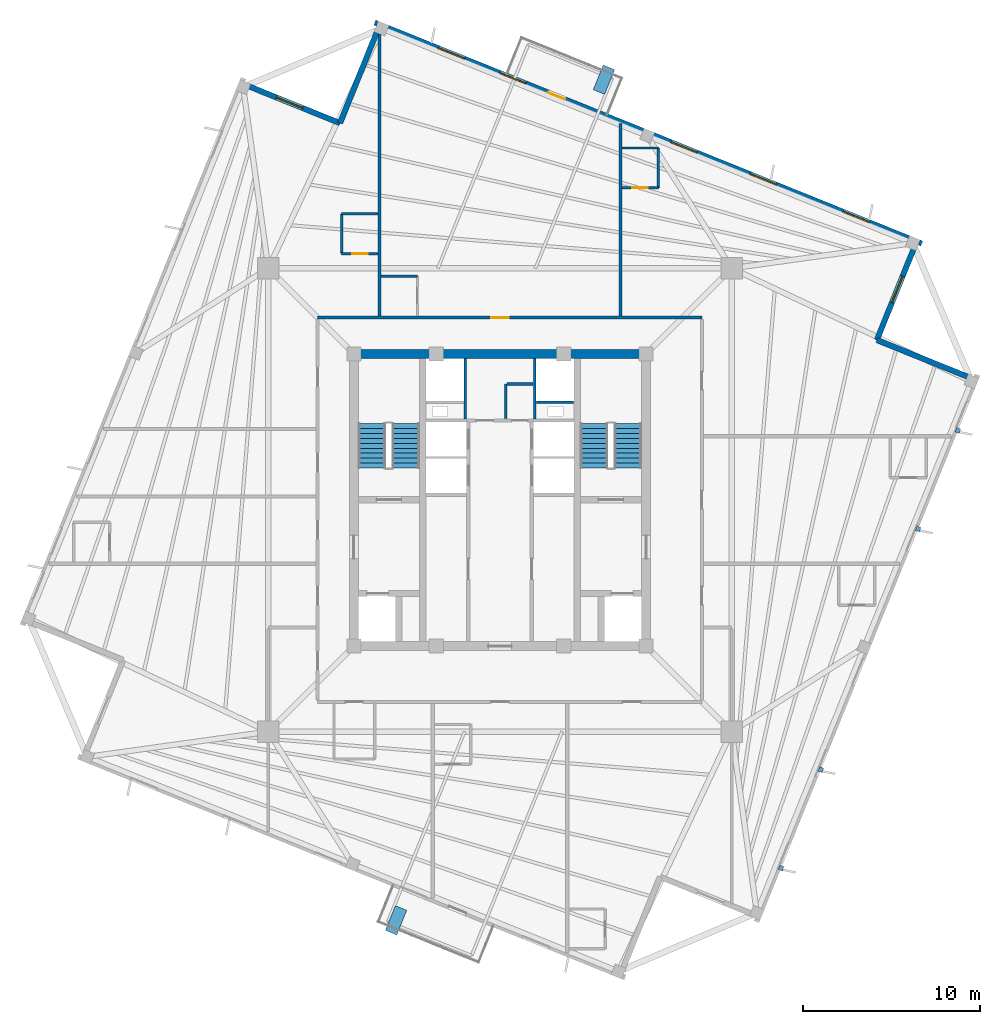
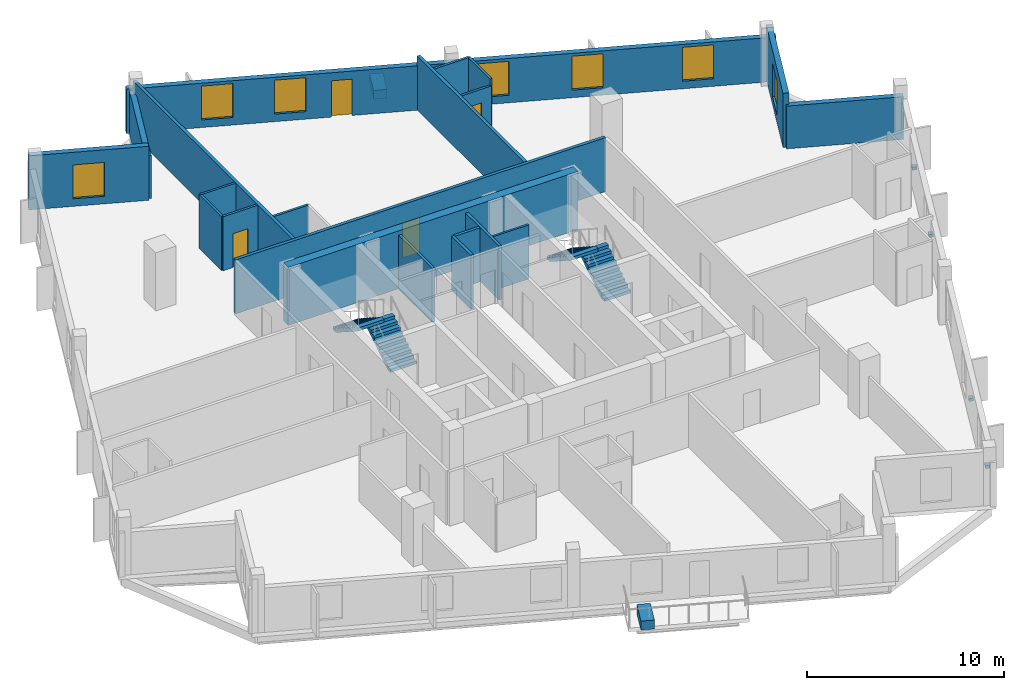
# One storey, part 5 of 8: 21 walls, 7 windows, 6 discrete accessories, 4 doors, 4 stair flights, 11 openings, 2 elements without a shape of their own.
"""IFC4 building model written with IfcOpenShell, lengths in metres."""

from ifc_helpers import new_model, si_unit, direction, frame, frame_2d, origin, origin_2d, place, context, subcontext, project, spatial, polyline, rectangle, outline, extrude, source, transform, mapped, material, layer, layer_set, type_object, element, fill, aggregate, save


model = new_model("IFC4")

# Units and contexts
model_context = context("Model", 3, precision=1e-05, world=origin(), true_north=direction((0.0, 1.0)))
body_context = subcontext(model_context, "Body", "Model", "MODEL_VIEW")
ifc_project = project(units=[si_unit("LENGTHUNIT", "METRE"), si_unit("AREAUNIT", "SQUARE_METRE"), si_unit("VOLUMEUNIT", "CUBIC_METRE"), si_unit("PLANEANGLEUNIT", "RADIAN"), si_unit("MASSUNIT", "GRAM", prefix="KILO"), si_unit("THERMODYNAMICTEMPERATUREUNIT", "KELVIN")], contexts=[model_context])

# Site, building, storey
site_placement = place(None, origin())
site = spatial("IfcSite", under=ifc_project, at=site_placement, CompositionType="ELEMENT")
building_placement = place(site_placement, origin())
building = spatial("IfcBuilding", under=site, at=building_placement, Name="Kosmvard Interchange Tower", CompositionType="ELEMENT")
storey_placement = place(building_placement, frame((0.0, 0.0, 265.199951171875)))
storey = spatial("IfcBuildingStorey", under=building, at=storey_placement, Name="L64", CompositionType="ELEMENT", Elevation=265.199951171875)

# Walls
ifc_material_1 = material(Name="Fire-rated gypsum partition system")
ifc_layer_1 = layer(ifc_material_1, 0.159912109375, Name="Fire-rated gypsum partition system")
ifc_layer_set_1 = layer_set([ifc_layer_1], Name="Fire-rated gypsum partition system")
wall_type_1 = type_object("IfcWallType", Name="Core Compartment & Shuttle Lobby Partition 160", PredefinedType="PARTITIONING", material=ifc_layer_set_1)
for number, where, z_axis, x_axis, name in (
    (1, (-1.9599609375, 4.580078125, 0.0), (0.0, 0.0, 1.0), (0.0, 1.0, 0.0), "L64 North Core West Wall"),
    (2, (1.9599609375, 4.580078125, 0.0), (0.0, 0.0, 1.0), (0.0, 1.0, 0.0), "L64 North Core East Wall"),
):
    element("IfcWall", number, at=place(storey_placement, frame(where, z_axis=z_axis, x_axis=x_axis)), inside=storey, type_object=wall_type_1, Name=name, PredefinedType="PARTITIONING", context=body_context, shape_type="SweptSolid", body=[
        extrude(rectangle(XDim=3.39990234375, YDim=0.159912109375, at=frame_2d((1.699951171875, 0.0))), origin(), (0.0, 0.0, 1.0), 3.35009765625),
    ])
ifc_material_2 = material(Name="Concrete blockwork masonry", Category="masonry")
ifc_layer_2 = layer(ifc_material_2, 0.159912109375, Name="Concrete blockwork masonry")
ifc_layer_set_2 = layer_set([ifc_layer_2], Name="Concrete blockwork masonry")
wall_type_2 = type_object("IfcWallType", Name="Core Enclosure Split Wall 160", PredefinedType="PARTITIONING", material=ifc_layer_set_2)
wall_1_placement = place(storey_placement, frame((0.320068359375, 4.60009765625, 0.0), z_axis=(0.0, 0.0, 1.0), x_axis=(0.0, 1.0, 0.0)))
element("IfcWall", 3, at=wall_1_placement, inside=storey, type_object=wall_type_2, Name="L64 Core K3 L-Wall 1", PredefinedType="PARTITIONING", context=body_context, shape_type="SweptSolid", body=[
    extrude(rectangle(XDim=1.949951171875, YDim=0.159912109375, at=frame_2d((0.97509765625, 0.0))), origin(), (0.0, 0.0, 1.0), 3.35009765625),
])
wall_2_placement = place(storey_placement, frame((0.39990234375, 6.550048828125, 0.0), z_axis=(0.0, 0.0, 1.0), x_axis=(1.0, 0.0, 0.0)))
element("IfcWall", 4, at=wall_2_placement, inside=storey, type_object=wall_type_2, Name="L64 Core K3 L-Wall 2", PredefinedType="PARTITIONING", context=body_context, shape_type="SweptSolid", body=[
    extrude(rectangle(XDim=1.460205078125, YDim=0.159912109375, at=frame_2d((0.72998046875, 0.0))), origin(), (0.0, 0.0, 1.0), 3.35009765625),
])

# Wall, opening, door
ifc_layer_3 = layer(ifc_material_1, 0.179931640625, Name="Fire-rated gypsum partition system")
ifc_layer_set_3 = layer_set([ifc_layer_3], Name="Fire-rated gypsum partition system")
wall_type_3 = type_object("IfcWallType", Name="Corridor & Hotel Compartment Partition 180", PredefinedType="PARTITIONING", material=ifc_layer_set_3)
wall_3_placement = place(storey_placement, frame((-10.300048828125, 10.300048828125, 0.0), z_axis=(0.0, 0.0, 1.0), x_axis=(1.0, 0.0, 0.0)))
wall_3 = element("IfcWall", 5, at=wall_3_placement, inside=storey, type_object=wall_type_3, Name="L64 Corridor Wall CN", PredefinedType="PARTITIONING", context=body_context, shape_type="SweptSolid", body=[
    extrude(rectangle(XDim=21.699951171875, YDim=0.179931640625, at=frame_2d((10.85009765625, 0.0))), origin(), (0.0, 0.0, 1.0), 3.35009765625),
])
opening_1_placement = place(wall_3_placement, frame((9.800048828125, 0.0, 0.0)))
opening_1 = element("IfcOpeningElement", 6, at=opening_1_placement, cuts=wall_3, Name="Opening L64-D05", PredefinedType="OPENING", context=body_context, shape_type="SweptSolid", body=[
    extrude(rectangle(XDim=1.0, YDim=2.14990234375, at=frame_2d((0.5, 1.074951171875))), frame((0.0, 0.10009765625, 0.0), z_axis=(0.0, -1.0, 0.0), x_axis=(1.0, 0.0, 0.0)), (0.0, 0.0, 1.0), 0.199951171875),
])
ifc_material_3 = material(Name="Engineered oak fire-rated timber", Category="wood")
door_type_1 = type_object("IfcDoorType", Name="Hotel Guestroom Entrance Door 1000x2150 EI60", OperationType="NOTDEFINED", PredefinedType="DOOR", material=ifc_material_3)
shared_shape_1 = source(origin(), body_context, "Body", "SweptSolid", [
    extrude(rectangle(XDim=1.0, YDim=2.14990234375, at=frame_2d((0.5, 1.074951171875))), frame((0.0, 0.02490234375, 0.0), z_axis=(0.0, -1.0, 0.0), x_axis=(1.0, 0.0, 0.0)), (0.0, 0.0, 1.0), 0.050048828125),
])
door_1_placement = place(opening_1_placement, origin())
door_1 = element("IfcDoor", 7, at=door_1_placement, inside=storey, type_object=door_type_1, Name="L64 Hotel Twin Junior Suite 1 Door", OperationType="SINGLE_SWING_LEFT", OverallHeight=2.14990234375, OverallWidth=1.0, PredefinedType="DOOR", context=body_context, shape_type="MappedRepresentation", body=[
    mapped(shared_shape_1, transform((0.0, 0.0, 0.0), scale=1.0)),
])
fill(opening_1, door_1)

# Walls
wall_4_placement = place(storey_placement, frame((-6.800048828125, 10.39501953125, 0.0), z_axis=(0.0, 0.0, 1.0), x_axis=(0.0, 1.0, 0.0)))
element("IfcWall", 8, at=wall_4_placement, inside=storey, type_object=wall_type_3, Name="L64 Room Partition 01.1", PredefinedType="PARTITIONING", context=body_context, shape_type="SweptSolid", body=[
    extrude(rectangle(XDim=16.16650390625, YDim=0.179931640625, at=frame_2d((8.083251953125, 0.0))), origin(), (0.0, 0.0, 1.0), 3.35009765625),
])
wall_5_placement = place(storey_placement, frame((6.800048828125, 10.39501953125, 0.0), z_axis=(0.0, 0.0, 1.0), x_axis=(0.0, 1.0, 0.0)))
element("IfcWall", 9, at=wall_5_placement, inside=storey, type_object=wall_type_3, Name="L64 Room Partition 02.1", PredefinedType="PARTITIONING", context=body_context, shape_type="SweptSolid", body=[
    extrude(rectangle(XDim=10.8603515625, YDim=0.179931640625, at=frame_2d((5.43017578125, 0.0))), origin(), (0.0, 0.0, 1.0), 3.35009765625),
])
ifc_material_4 = material(Name="Fire-rated gypsum shaftwall system")
ifc_layer_4 = layer(ifc_material_4, 0.1201171875, Name="Fire-rated gypsum shaftwall system")
ifc_layer_set_4 = layer_set([ifc_layer_4], Name="Fire-rated gypsum shaftwall system")
wall_type_4 = type_object("IfcWallType", Name="Shaft & Riser Fire Partition 120 EI60", PredefinedType="PARTITIONING", material=ifc_layer_set_4)
wall_6_placement = place(storey_placement, frame((2.06005859375, 5.52001953125, 0.0), z_axis=(0.0, 0.0, 1.0), x_axis=(1.0, 0.0, 0.0)))
element("IfcWall", 10, at=wall_6_placement, inside=storey, type_object=wall_type_4, Name="L64 Riser Shaft Divider E", PredefinedType="PARTITIONING", context=body_context, shape_type="SweptSolid", body=[
    extrude(rectangle(XDim=2.099853515625, YDim=0.1201171875, at=frame_2d((1.0498046875, 0.0))), origin(), (0.0, 0.0, 1.0), 3.35009765625),
])
ifc_material_5 = material(Name="Concrete C60/75", Category="concrete")
ifc_layer_5 = layer(ifc_material_5, 0.5, Name="Concrete C60/75")
ifc_layer_set_5 = layer_set([ifc_layer_5], Name="Concrete C60/75")
wall_type_5 = type_object("IfcWallType", Name="Upper Core Shear Wall 500 C60/75", PredefinedType="SHEAR", material=ifc_layer_set_5)
wall_7_placement = place(storey_placement, frame((-8.5, 8.25, 0.0), z_axis=(0.0, 0.0, 1.0), x_axis=(1.0, 0.0, 0.0)))
element("IfcWall", 11, at=wall_7_placement, inside=storey, type_object=wall_type_5, Name="L64 Core Shear Wall CW-N", PredefinedType="SHEAR", context=body_context, shape_type="SweptSolid", body=[
    extrude(rectangle(XDim=17.0, YDim=0.5, at=frame_2d((8.5, 0.0))), origin(), (0.0, 0.0, 1.0), 3.60009765625),
])
ifc_material_6 = material(Name="Precast concrete C45/55", Category="concrete")
ifc_layer_6 = layer(ifc_material_6, 0.31005859375, Name="Precast concrete C45/55")
ifc_layer_set_6 = layer_set([ifc_layer_6], Name="Precast concrete C45/55")
wall_type_6 = type_object("IfcWallType", Name="Upper Tower Precast Pier Wall 310 C45/55", PredefinedType="STANDARD", material=ifc_layer_set_6)
wall_8_placement = place(storey_placement, frame((26.8408203125, 6.7841796875, 0.0), z_axis=(0.0, 0.0, 1.0), x_axis=(-0.927171722085, 0.374636620962, 0.0)))
element("IfcWall", 12, at=wall_8_placement, inside=storey, type_object=wall_type_6, Name="L64 Precast Facade Wall N-SE1", PredefinedType="STANDARD", context=body_context, shape_type="SweptSolid", body=[
    extrude(rectangle(XDim=6.0, YDim=0.31005859375, at=frame_2d((3.0, 0.0))), origin(), (0.0, 0.0, 1.0), 2.650146484375),
])

# Wall, opening, window
wall_9_placement = place(storey_placement, frame((21.27783203125, 9.031982421875, 0.0), z_axis=(0.0, 0.0, 1.0), x_axis=(0.374602739196, 0.927185411764, 0.0)))
wall_9 = element("IfcWall", 13, at=wall_9_placement, inside=storey, type_object=wall_type_6, Name="L64 Precast Facade Wall N-SE2", PredefinedType="STANDARD", context=body_context, shape_type="SweptSolid", body=[
    extrude(rectangle(XDim=6.155029296875, YDim=0.31005859375, at=frame_2d((3.07763671875, 0.0))), origin(), (0.0, 0.0, 1.0), 3.35009765625),
])
opening_2_placement = place(wall_9_placement, frame((2.277587890625, 0.0, 0.469970703125)))
opening_2 = element("IfcOpeningElement", 14, at=opening_2_placement, cuts=wall_9, Name="Opening L64-W21", PredefinedType="OPENING", context=body_context, shape_type="SweptSolid", body=[
    extrude(rectangle(XDim=1.60009765625, YDim=2.10009765625, at=frame_2d((0.800048828125, 1.050048828125))), frame((0.0, 0.1650390625, 0.0), z_axis=(0.0, -1.0, 0.0), x_axis=(1.0, 0.0, 0.0)), (0.0, 0.0, 1.0), 0.330078125),
])
ifc_material_7 = material(Name="Low-E acoustic double glazing", Category="glass")
window_type = type_object("IfcWindowType", Name="Zone 5 Hotel Punched Window 1600x2100", PartitioningType="SINGLE_PANEL", PredefinedType="WINDOW", material=ifc_material_7)
shared_shape_2 = source(origin(), body_context, "Body", "SweptSolid", [
    extrude(rectangle(XDim=1.60009765625, YDim=2.10009765625, at=frame_2d((0.800048828125, 1.050048828125))), frame((0.0, 0.030029296875, 0.0), z_axis=(0.0, -1.0, 0.0), x_axis=(1.0, 0.0, 0.0)), (0.0, 0.0, 1.0), 0.06005859375),
])
window_1_placement = place(opening_2_placement, origin())
window_1 = element("IfcWindow", 15, at=window_1_placement, inside=storey, type_object=window_type, Name="L64 Corner Notch Window 21", OverallHeight=2.10009765625, OverallWidth=1.60009765625, PartitioningType="SINGLE_PANEL", PredefinedType="WINDOW", context=body_context, shape_type="MappedRepresentation", body=[
    mapped(shared_shape_2, transform((0.0, 0.0, 0.0), scale=1.0)),
])
fill(opening_2, window_1)

# Wall, openings, door, windows
wall_10_placement = place(storey_placement, frame((23.812744140625, 14.478759765625, 0.0), z_axis=(0.0, 0.0, 1.0), x_axis=(-0.927182657188, 0.374609557019, 0.0)))
wall_10 = element("IfcWall", 16, at=wall_10_placement, inside=storey, type_object=wall_type_6, Name="L64 Precast Facade Wall F-E", PredefinedType="STANDARD", context=body_context, shape_type="SweptSolid", body=[
    extrude(rectangle(XDim=33.31005859375, YDim=0.31005859375, at=frame_2d((16.655029296875, 0.0))), origin(), (0.0, 0.0, 1.0), 2.75),
])
opening_3_placement = place(wall_10_placement, frame((21.72998046875, 0.0, 0.0)))
opening_3 = element("IfcOpeningElement", 17, at=opening_3_placement, cuts=wall_10, Name="Opening L64-BDE", PredefinedType="OPENING", context=body_context, shape_type="SweptSolid", body=[
    extrude(rectangle(XDim=1.050048828125, YDim=2.25, at=frame_2d((0.52490234375, 1.125))), frame((0.0, 0.1650390625, 0.0), z_axis=(0.0, -1.0, 0.0), x_axis=(1.0, 0.0, 0.0)), (0.0, 0.0, 1.0), 0.330078125),
])
opening_4_placement = place(wall_10_placement, frame((3.197265625, 0.0, 0.469970703125)))
opening_4 = element("IfcOpeningElement", 18, at=opening_4_placement, cuts=wall_10, Name="Opening L64-W06", PredefinedType="OPENING", context=body_context, shape_type="SweptSolid", body=[
    extrude(rectangle(XDim=1.60009765625, YDim=2.10009765625, at=frame_2d((0.800048828125, 1.050048828125))), frame((0.0, 0.1650390625, 0.0), z_axis=(0.0, -1.0, 0.0), x_axis=(1.0, 0.0, 0.0)), (0.0, 0.0, 1.0), 0.330078125),
])
opening_5_placement = place(wall_10_placement, frame((8.85986328125, 0.0, 0.469970703125)))
opening_5 = element("IfcOpeningElement", 19, at=opening_5_placement, cuts=wall_10, Name="Opening L64-W07", PredefinedType="OPENING", context=body_context, shape_type="SweptSolid", body=[
    extrude(rectangle(XDim=1.60009765625, YDim=2.10009765625, at=frame_2d((0.800048828125, 1.050048828125))), frame((0.0, 0.1650390625, 0.0), z_axis=(0.0, -1.0, 0.0), x_axis=(1.0, 0.0, 0.0)), (0.0, 0.0, 1.0), 0.330078125),
])
opening_6_placement = place(wall_10_placement, frame((13.688720703125, 0.0, 0.469970703125)))
opening_6 = element("IfcOpeningElement", 20, at=opening_6_placement, cuts=wall_10, Name="Opening L64-W08", PredefinedType="OPENING", context=body_context, shape_type="SweptSolid", body=[
    extrude(rectangle(XDim=1.60009765625, YDim=2.10009765625, at=frame_2d((0.800048828125, 1.050048828125))), frame((0.0, 0.1650390625, 0.0), z_axis=(0.0, -1.0, 0.0), x_axis=(1.0, 0.0, 0.0)), (0.0, 0.0, 1.0), 0.330078125),
])
opening_7_placement = place(wall_10_placement, frame((24.100830078125, 0.0, 0.469970703125)))
opening_7 = element("IfcOpeningElement", 21, at=opening_7_placement, cuts=wall_10, Name="Opening L64-W09", PredefinedType="OPENING", context=body_context, shape_type="SweptSolid", body=[
    extrude(rectangle(XDim=1.60009765625, YDim=2.10009765625, at=frame_2d((0.800048828125, 1.050048828125))), frame((0.0, 0.1650390625, 0.0), z_axis=(0.0, -1.0, 0.0), x_axis=(1.0, 0.0, 0.0)), (0.0, 0.0, 1.0), 0.330078125),
])
opening_8_placement = place(wall_10_placement, frame((27.8466796875, 0.0, 0.469970703125)))
opening_8 = element("IfcOpeningElement", 22, at=opening_8_placement, cuts=wall_10, Name="Opening L64-W10", PredefinedType="OPENING", context=body_context, shape_type="SweptSolid", body=[
    extrude(rectangle(XDim=1.60009765625, YDim=2.10009765625, at=frame_2d((0.800048828125, 1.050048828125))), frame((0.0, 0.1650390625, 0.0), z_axis=(0.0, -1.0, 0.0), x_axis=(1.0, 0.0, 0.0)), (0.0, 0.0, 1.0), 0.330078125),
])
ifc_material_8 = material(Name="Anodised aluminium and safety glass", Category="aluminium")
door_type_2 = type_object("IfcDoorType", Name="Tree-Balcony Glazed Door 1050x2250", OperationType="NOTDEFINED", PredefinedType="DOOR", material=ifc_material_8)
shared_shape_3 = source(origin(), body_context, "Body", "SweptSolid", [
    extrude(rectangle(XDim=1.050048828125, YDim=2.25, at=frame_2d((0.52490234375, 1.125))), frame((0.0, 0.02490234375, 0.0), z_axis=(0.0, -1.0, 0.0), x_axis=(1.0, 0.0, 0.0)), (0.0, 0.0, 1.0), 0.050048828125),
])
door_2_placement = place(opening_3_placement, origin())
door_2 = element("IfcDoor", 23, at=door_2_placement, inside=storey, type_object=door_type_2, Name="L64 Tree-Balcony Door BAL-L64-E", OperationType="SINGLE_SWING_LEFT", OverallHeight=2.25, OverallWidth=1.050048828125, PredefinedType="DOOR", context=body_context, shape_type="MappedRepresentation", body=[
    mapped(shared_shape_3, transform((0.0, 0.0, 0.0), scale=1.0)),
])
fill(opening_3, door_2)
window_2_placement = place(opening_4_placement, origin())
window_2 = element("IfcWindow", 24, at=window_2_placement, inside=storey, type_object=window_type, Name="L64 Facade Punched Window 06", OverallHeight=2.10009765625, OverallWidth=1.60009765625, PartitioningType="SINGLE_PANEL", PredefinedType="WINDOW", context=body_context, shape_type="MappedRepresentation", body=[
    mapped(shared_shape_2, transform((0.0, 0.0, 0.0), scale=1.0)),
])
fill(opening_4, window_2)
window_3_placement = place(opening_5_placement, origin())
window_3 = element("IfcWindow", 25, at=window_3_placement, inside=storey, type_object=window_type, Name="L64 Facade Punched Window 07", OverallHeight=2.10009765625, OverallWidth=1.60009765625, PartitioningType="SINGLE_PANEL", PredefinedType="WINDOW", context=body_context, shape_type="MappedRepresentation", body=[
    mapped(shared_shape_2, transform((0.0, 0.0, 0.0), scale=1.0)),
])
fill(opening_5, window_3)
window_4_placement = place(opening_6_placement, origin())
window_4 = element("IfcWindow", 26, at=window_4_placement, inside=storey, type_object=window_type, Name="L64 Facade Punched Window 08", OverallHeight=2.10009765625, OverallWidth=1.60009765625, PartitioningType="SINGLE_PANEL", PredefinedType="WINDOW", context=body_context, shape_type="MappedRepresentation", body=[
    mapped(shared_shape_2, transform((0.0, 0.0, 0.0), scale=1.0)),
])
fill(opening_6, window_4)
window_5_placement = place(opening_7_placement, origin())
window_5 = element("IfcWindow", 27, at=window_5_placement, inside=storey, type_object=window_type, Name="L64 Facade Punched Window 09", OverallHeight=2.10009765625, OverallWidth=1.60009765625, PartitioningType="SINGLE_PANEL", PredefinedType="WINDOW", context=body_context, shape_type="MappedRepresentation", body=[
    mapped(shared_shape_2, transform((0.0, 0.0, 0.0), scale=1.0)),
])
fill(opening_7, window_5)
window_6_placement = place(opening_8_placement, origin())
window_6 = element("IfcWindow", 28, at=window_6_placement, inside=storey, type_object=window_type, Name="L64 Facade Punched Window 10", OverallHeight=2.10009765625, OverallWidth=1.60009765625, PartitioningType="SINGLE_PANEL", PredefinedType="WINDOW", context=body_context, shape_type="MappedRepresentation", body=[
    mapped(shared_shape_2, transform((0.0, 0.0, 0.0), scale=1.0)),
])
fill(opening_8, window_6)

# Wall
wall_11_placement = place(storey_placement, frame((-6.7841796875, 26.8408203125, 0.0), z_axis=(0.0, 0.0, 1.0), x_axis=(-0.374636620962, -0.927171722085, 0.0)))
element("IfcWall", 29, at=wall_11_placement, inside=storey, type_object=wall_type_6, Name="L64 Precast Facade Wall N-NE1", PredefinedType="STANDARD", context=body_context, shape_type="SweptSolid", body=[
    extrude(rectangle(XDim=6.0, YDim=0.31005859375, at=frame_2d((3.0, 0.0))), origin(), (0.0, 0.0, 1.0), 2.650146484375),
])

# Wall, opening, window
wall_12_placement = place(storey_placement, frame((-9.031982421875, 21.27783203125, 0.0), z_axis=(0.0, 0.0, 1.0), x_axis=(-0.927185411764, 0.374602739196, 0.0)))
wall_12 = element("IfcWall", 30, at=wall_12_placement, inside=storey, type_object=wall_type_6, Name="L64 Precast Facade Wall N-NE2", PredefinedType="STANDARD", context=body_context, shape_type="SweptSolid", body=[
    extrude(rectangle(XDim=6.155029296875, YDim=0.31005859375, at=frame_2d((3.07763671875, 0.0))), origin(), (0.0, 0.0, 1.0), 3.35009765625),
])
opening_9_placement = place(wall_12_placement, frame((2.277587890625, 0.0, 0.469970703125)))
opening_9 = element("IfcOpeningElement", 31, at=opening_9_placement, cuts=wall_12, Name="Opening L64-W22", PredefinedType="OPENING", context=body_context, shape_type="SweptSolid", body=[
    extrude(rectangle(XDim=1.60009765625, YDim=2.10009765625, at=frame_2d((0.800048828125, 1.050048828125))), frame((0.0, 0.1650390625, 0.0), z_axis=(0.0, -1.0, 0.0), x_axis=(1.0, 0.0, 0.0)), (0.0, 0.0, 1.0), 0.330078125),
])
window_7_placement = place(opening_9_placement, origin())
window_7 = element("IfcWindow", 32, at=window_7_placement, inside=storey, type_object=window_type, Name="L64 Corner Notch Window 22", OverallHeight=2.10009765625, OverallWidth=1.60009765625, PartitioningType="SINGLE_PANEL", PredefinedType="WINDOW", context=body_context, shape_type="MappedRepresentation", body=[
    mapped(shared_shape_2, transform((0.0, 0.0, 0.0), scale=1.0)),
])
fill(opening_9, window_7)

# Wall, opening, door
ifc_material_9 = material(Name="Moisture-resistant gypsum partition")
ifc_layer_7 = layer(ifc_material_9, 0.135009765625, Name="Moisture-resistant gypsum partition")
ifc_layer_set_7 = layer_set([ifc_layer_7], Name="Moisture-resistant gypsum partition")
wall_type_7 = type_object("IfcWallType", Name="Wet Room Moisture-Resistant Partition 135", PredefinedType="PARTITIONING", material=ifc_layer_set_7)
wall_13_placement = place(storey_placement, frame((-8.93994140625, 13.909912109375, 0.0), z_axis=(0.0, 0.0, 1.0), x_axis=(1.0, 0.0, 0.0)))
wall_13 = element("IfcWall", 33, at=wall_13_placement, inside=storey, type_object=wall_type_7, Name="L64 En-Suite Partition HCS1-S", PredefinedType="PARTITIONING", context=body_context, shape_type="SweptSolid", body=[
    extrude(rectangle(XDim=2.050048828125, YDim=0.135009765625, at=frame_2d((1.02490234375, 0.0))), origin(), (0.0, 0.0, 1.0), 3.35009765625),
])
opening_10_placement = place(wall_13_placement, frame((0.5849609375, 0.0, 0.0)))
opening_10 = element("IfcOpeningElement", 34, at=opening_10_placement, cuts=wall_13, Name="Opening L64-ED04", PredefinedType="OPENING", context=body_context, shape_type="SweptSolid", body=[
    extrude(rectangle(XDim=0.8798828125, YDim=2.10009765625, at=frame_2d((0.43994140625, 1.050048828125))), frame((0.0, 0.07763671875, 0.0), z_axis=(0.0, -1.0, 0.0), x_axis=(1.0, 0.0, 0.0)), (0.0, 0.0, 1.0), 0.155029296875),
])
ifc_material_10 = material(Name="Laminated moisture-resistant timber", Category="wood")
door_type_3 = type_object("IfcDoorType", Name="En-Suite & Washroom Door 880x2100", OperationType="NOTDEFINED", PredefinedType="DOOR", material=ifc_material_10)
shared_shape_4 = source(origin(), body_context, "Body", "SweptSolid", [
    extrude(rectangle(XDim=0.8798828125, YDim=2.10009765625, at=frame_2d((0.43994140625, 1.050048828125))), frame((0.0, 0.02490234375, 0.0), z_axis=(0.0, -1.0, 0.0), x_axis=(1.0, 0.0, 0.0)), (0.0, 0.0, 1.0), 0.050048828125),
])
door_3_placement = place(opening_10_placement, origin())
door_3 = element("IfcDoor", 35, at=door_3_placement, inside=storey, type_object=door_type_3, Name="L64 HCS1 En-Suite Door", OperationType="SINGLE_SWING_LEFT", OverallHeight=2.10009765625, OverallWidth=0.8798828125, PredefinedType="DOOR", context=body_context, shape_type="MappedRepresentation", body=[
    mapped(shared_shape_4, transform((0.0, 0.0, 0.0), scale=1.0)),
])
fill(opening_10, door_3)

# Walls
wall_14_placement = place(storey_placement, frame((-8.93994140625, 16.159912109375, 0.0), z_axis=(0.0, 0.0, 1.0), x_axis=(1.0, 0.0, 0.0)))
element("IfcWall", 36, at=wall_14_placement, inside=storey, type_object=wall_type_7, Name="L64 En-Suite Partition HCS1-N", PredefinedType="PARTITIONING", context=body_context, shape_type="SweptSolid", body=[
    extrude(rectangle(XDim=2.050048828125, YDim=0.135009765625, at=frame_2d((1.02490234375, 0.0))), origin(), (0.0, 0.0, 1.0), 3.35009765625),
])
wall_15_placement = place(storey_placement, frame((-8.93994140625, 13.909912109375, 0.0), z_axis=(0.0, 0.0, 1.0), x_axis=(0.0, 1.0, 0.0)))
element("IfcWall", 37, at=wall_15_placement, inside=storey, type_object=wall_type_7, Name="L64 En-Suite Partition HCS1-W", PredefinedType="PARTITIONING", context=body_context, shape_type="SweptSolid", body=[
    extrude(rectangle(XDim=2.25, YDim=0.135009765625, at=frame_2d((1.125, 0.0))), origin(), (0.0, 0.0, 1.0), 3.35009765625),
])
wall_16_placement = place(storey_placement, frame((-6.7099609375, 12.635009765625, 0.0), z_axis=(0.0, 0.0, 1.0), x_axis=(1.0, 0.0, 0.0)))
element("IfcWall", 38, at=wall_16_placement, inside=storey, type_object=wall_type_7, Name="L64 En-Suite Partition HGR1-N", PredefinedType="PARTITIONING", context=body_context, shape_type="SweptSolid", body=[
    extrude(rectangle(XDim=2.050048828125, YDim=0.135009765625, at=frame_2d((1.02490234375, 0.0))), origin(), (0.0, 0.0, 1.0), 3.35009765625),
])

# Wall, opening, door
wall_17_placement = place(storey_placement, frame((6.889892578125, 17.6220703125, 0.0), z_axis=(0.0, 0.0, 1.0), x_axis=(1.0, 0.0, 0.0)))
wall_17 = element("IfcWall", 39, at=wall_17_placement, inside=storey, type_object=wall_type_7, Name="L64 En-Suite Partition HGR2-S", PredefinedType="PARTITIONING", context=body_context, shape_type="SweptSolid", body=[
    extrude(rectangle(XDim=2.050048828125, YDim=0.135009765625, at=frame_2d((1.02490234375, 0.0))), origin(), (0.0, 0.0, 1.0), 2.949951171875),
])
opening_11_placement = place(wall_17_placement, frame((0.5849609375, 0.0, 0.0)))
opening_11 = element("IfcOpeningElement", 40, at=opening_11_placement, cuts=wall_17, Name="Opening L64-ED08", PredefinedType="OPENING", context=body_context, shape_type="SweptSolid", body=[
    extrude(rectangle(XDim=0.8798828125, YDim=2.10009765625, at=frame_2d((0.43994140625, 1.050048828125))), frame((0.0, 0.07763671875, 0.0), z_axis=(0.0, -1.0, 0.0), x_axis=(1.0, 0.0, 0.0)), (0.0, 0.0, 1.0), 0.155029296875),
])
door_4_placement = place(opening_11_placement, origin())
door_4 = element("IfcDoor", 41, at=door_4_placement, inside=storey, type_object=door_type_3, Name="L64 HGR2 En-Suite Door", OperationType="SINGLE_SWING_LEFT", OverallHeight=2.10009765625, OverallWidth=0.8798828125, PredefinedType="DOOR", context=body_context, shape_type="MappedRepresentation", body=[
    mapped(shared_shape_4, transform((0.0, 0.0, 0.0), scale=1.0)),
])
fill(opening_11, door_4)

# Walls
wall_18_placement = place(storey_placement, frame((8.93994140625, 17.6220703125, 0.0), z_axis=(0.0, 0.0, 1.0), x_axis=(0.0, 1.0, 0.0)))
element("IfcWall", 42, at=wall_18_placement, inside=storey, type_object=wall_type_7, Name="L64 En-Suite Partition HGR2-E", PredefinedType="PARTITIONING", context=body_context, shape_type="SweptSolid", body=[
    extrude(rectangle(XDim=2.25, YDim=0.135009765625, at=frame_2d((1.125, 0.0))), origin(), (0.0, 0.0, 1.0), 3.35009765625),
])
wall_19_placement = place(storey_placement, frame((6.889892578125, 19.8720703125, 0.0), z_axis=(0.0, 0.0, 1.0), x_axis=(1.0, 0.0, 0.0)))
element("IfcWall", 43, at=wall_19_placement, inside=storey, type_object=wall_type_7, Name="L64 En-Suite Partition HGR2-N", PredefinedType="PARTITIONING", context=body_context, shape_type="SweptSolid", body=[
    extrude(rectangle(XDim=2.050048828125, YDim=0.135009765625, at=frame_2d((1.02490234375, 0.0))), origin(), (0.0, 0.0, 1.0), 3.35009765625),
])

# Stair, stair flights
ifc_material_11 = material(Name="Concrete C50/60", Category="concrete")
stair_type = type_object("IfcStairType", Name="Dog-Leg Core Exit Stair H3600 C50/60", PredefinedType="HALF_TURN_STAIR", material=ifc_material_11)
stair_1_placement = place(storey_placement, origin())
stair_1 = element("IfcStair", 44, at=stair_1_placement, inside=storey, type_object=stair_type, Name="L64 Protected Exit Stair ST-1", PredefinedType="HALF_TURN_STAIR")
stair_flight_type = type_object("IfcStairFlightType", Name="Core Stair Flight W1550 H3600 C50/60", PredefinedType="STRAIGHT", material=ifc_material_11)
shared_shape_5 = source(origin(), body_context, "Body", "SweptSolid", [
    extrude(outline(polyline([(0.0, 0.0), (0.0, 0.179931640625), (0.280029296875, 0.179931640625), (0.280029296875, 0.360107421875), (0.56005859375, 0.360107421875), (0.56005859375, 0.5400390625), (0.840087890625, 0.5400390625), (0.840087890625, 0.719970703125), (1.1201171875, 0.719970703125), (1.1201171875, 0.89990234375), (1.39990234375, 0.89990234375), (1.39990234375, 1.080078125), (1.679931640625, 1.080078125), (1.679931640625, 1.260009765625), (1.9599609375, 1.260009765625), (1.9599609375, 1.43994140625), (2.239990234375, 1.43994140625), (2.239990234375, 1.6201171875), (2.52001953125, 1.6201171875), (2.52001953125, 1.800048828125), (2.52001953125, 1.429931640625), (0.295654296875, 0.0), (0.0, 0.0)])), frame((0.0, 0.77490234375, 0.0), z_axis=(0.0, -1.0, 0.0), x_axis=(1.0, 0.0, 0.0)), (0.0, 0.0, 1.0), 1.550048828125),
])
stair_flight_1_placement = place(storey_placement, frame((-5.31494140625, 1.800048828125, 0.0), z_axis=(0.0, 0.0, 1.0), x_axis=(0.0, 1.0, 0.0)))
stair_flight_1 = element("IfcStairFlight", 45, at=stair_flight_1_placement, type_object=stair_flight_type, Name="ST-1 flight 1", NumberOfRisers=10, NumberOfTreads=9, PredefinedType="STRAIGHT", RiserHeight=0.18, TreadLength=0.28, context=body_context, shape_type="MappedRepresentation", body=[
    mapped(shared_shape_5, transform((0.0, 0.0, 0.0), scale=1.0)),
])
stair_flight_2_placement = place(storey_placement, frame((-7.22509765625, 4.320068359375, 1.800048828125), z_axis=(0.0, 0.0, 1.0), x_axis=(0.0, -1.0, 0.0)))
stair_flight_2 = element("IfcStairFlight", 46, at=stair_flight_2_placement, type_object=stair_flight_type, Name="ST-1 flight 2", NumberOfRisers=10, NumberOfTreads=9, PredefinedType="STRAIGHT", RiserHeight=0.18, TreadLength=0.28, context=body_context, shape_type="MappedRepresentation", body=[
    mapped(shared_shape_5, transform((0.0, 0.0, 0.0), scale=1.0)),
])
aggregate(stair_1, [stair_flight_1, stair_flight_2])

stair_2_placement = place(storey_placement, origin())
stair_2 = element("IfcStair", 47, at=stair_2_placement, inside=storey, type_object=stair_type, Name="L64 Protected Exit Stair ST-2", PredefinedType="HALF_TURN_STAIR")
stair_flight_3_placement = place(storey_placement, frame((7.22509765625, 1.800048828125, 0.0), z_axis=(0.0, 0.0, 1.0), x_axis=(0.0, 1.0, 0.0)))
stair_flight_3 = element("IfcStairFlight", 48, at=stair_flight_3_placement, type_object=stair_flight_type, Name="ST-2 flight 1", NumberOfRisers=10, NumberOfTreads=9, PredefinedType="STRAIGHT", RiserHeight=0.18, TreadLength=0.28, context=body_context, shape_type="MappedRepresentation", body=[
    mapped(shared_shape_5, transform((0.0, 0.0, 0.0), scale=1.0)),
])
stair_flight_4_placement = place(storey_placement, frame((5.31494140625, 4.320068359375, 1.800048828125), z_axis=(0.0, 0.0, 1.0), x_axis=(0.0, -1.0, 0.0)))
stair_flight_4 = element("IfcStairFlight", 49, at=stair_flight_4_placement, type_object=stair_flight_type, Name="ST-2 flight 2", NumberOfRisers=10, NumberOfTreads=9, PredefinedType="STRAIGHT", RiserHeight=0.18, TreadLength=0.28, context=body_context, shape_type="MappedRepresentation", body=[
    mapped(shared_shape_5, transform((0.0, 0.0, 0.0), scale=1.0)),
])
aggregate(stair_2, [stair_flight_3, stair_flight_4])

# Discrete accessories
ifc_material_12 = material(Name="Terracotta precast planter concrete C45/55", Category="masonry")
discrete_accessory_type_1 = type_object("IfcDiscreteAccessoryType", Name="Precast Tree-Balcony & Terrace Planter Box", PredefinedType="USERDEFINED", material=ifc_material_12)
shared_shape_6 = source(origin(), body_context, "Body", "SweptSolid", [
    extrude(rectangle(XDim=1.5, YDim=0.699951171875, at=origin_2d()), origin(), (0.0, 0.0, 1.0), 0.550048828125),
])
for number, where, z_axis, x_axis, name in (
    (50, (5.86669921875, 23.730224609375, 0.0), (0.0, 0.0, 1.0), (0.374606593416, 0.927183854567, 0.0), "L64 Balcony Tree Planter BAL-L64-E"),
    (51, (-5.86669921875, -23.730224609375, 0.0), (0.0, 0.0, 1.0), (0.374606593416, 0.927183854567, 0.0), "L64 Balcony Tree Planter BAL-L64-W"),
):
    element("IfcDiscreteAccessory", number, at=place(storey_placement, frame(where, z_axis=z_axis, x_axis=x_axis)), inside=storey, type_object=discrete_accessory_type_1, Name=name, ObjectType="PLANTER", PredefinedType="USERDEFINED", context=body_context, shape_type="MappedRepresentation", body=[
        mapped(shared_shape_6, transform((0.0, 0.0, 0.0), scale=1.0)),
    ])
ifc_material_13 = material(Name="Steel S355", Category="steel")
discrete_accessory_type_2 = type_object("IfcDiscreteAccessoryType", Name="Facade Fin Structural Cleat Bracket", PredefinedType="BRACKET", material=ifc_material_13)
shared_shape_7 = source(origin(), body_context, "Body", "SweptSolid", [
    extrude(rectangle(XDim=0.239990234375, YDim=0.260009765625, at=origin_2d()), origin(), (0.0, 0.0, 1.0), 0.179931640625),
])
for number, where, z_axis, x_axis, name in (
    (52, (15.870361328125, -20.782470703125, 0.16015625), (0.0, 0.0, 1.0), (0.927183733755, -0.374606892434, 0.0), "L64 Sun-Breaker Anchor Bracket 01"),
    (53, (18.116455078125, -15.22314453125, 0.16015625), (0.0, 0.0, 1.0), (0.927183733755, -0.374606892434, 0.0), "L64 Sun-Breaker Anchor Bracket 02"),
    (54, (23.60693359375, -1.634033203125, 0.16015625), (0.0, 0.0, 1.0), (0.927183733755, -0.374606892434, 0.0), "L64 Sun-Breaker Anchor Bracket 03"),
    (55, (25.852783203125, 3.925048828125, 0.16015625), (0.0, 0.0, 1.0), (0.927183733755, -0.374606892434, 0.0), "L64 Sun-Breaker Anchor Bracket 04"),
):
    element("IfcDiscreteAccessory", number, at=place(storey_placement, frame(where, z_axis=z_axis, x_axis=x_axis)), inside=storey, type_object=discrete_accessory_type_2, Name=name, PredefinedType="BRACKET", context=body_context, shape_type="MappedRepresentation", body=[
        mapped(shared_shape_7, transform((0.0, 0.0, 0.0), scale=1.0)),
    ])

save(model, "model.ifc")
